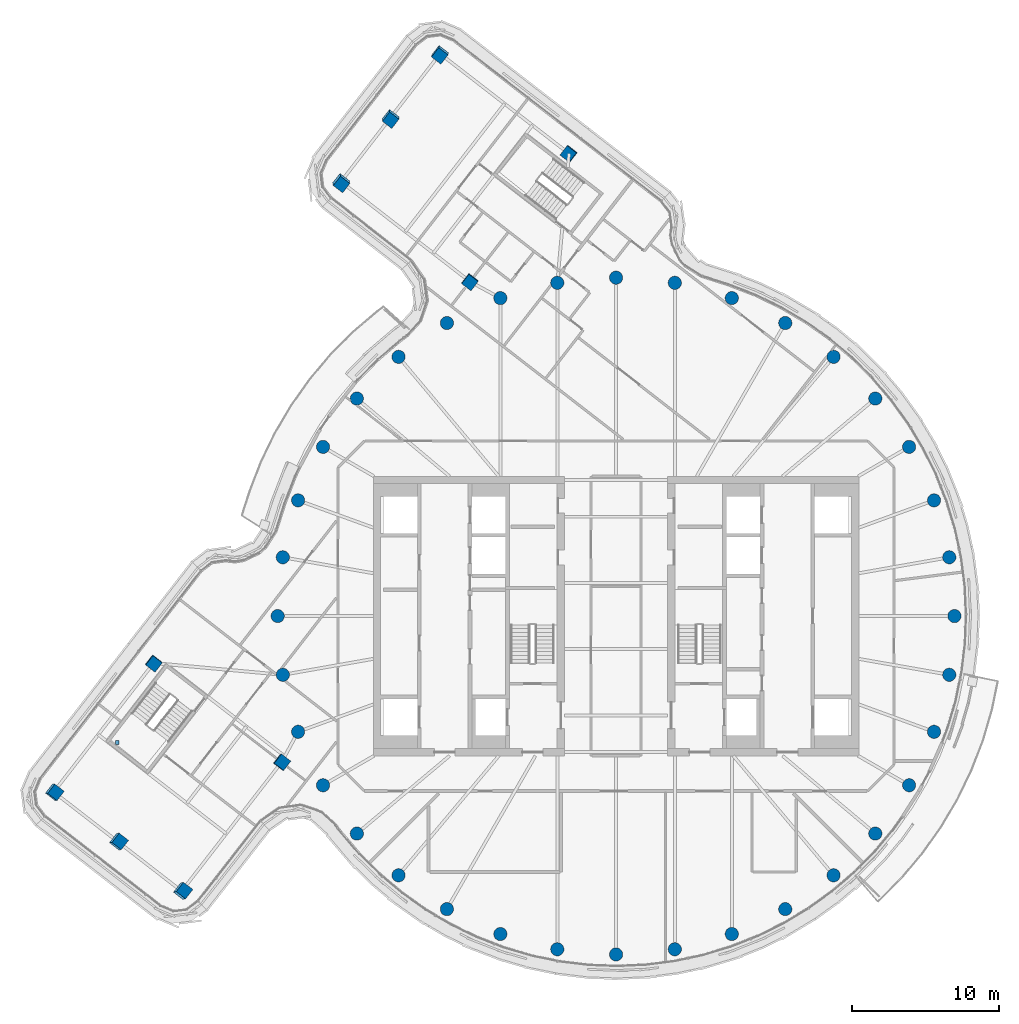
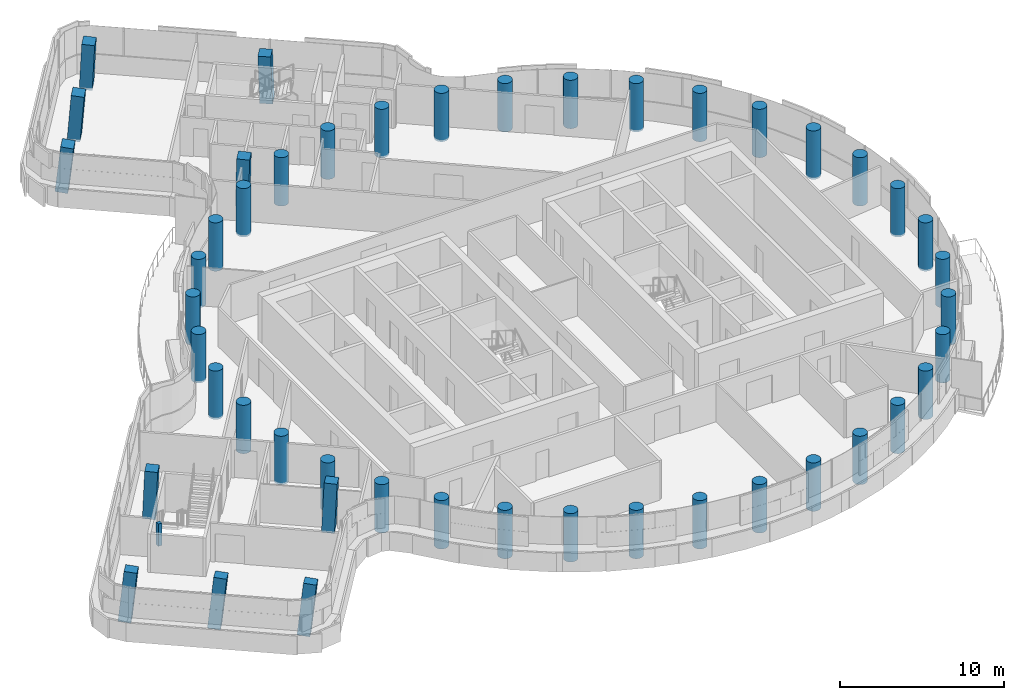
# One storey, part 1 of 26: 47 columns.
"""IFC4 building model written with IfcOpenShell, lengths in metres."""

from ifc_helpers import new_model, si_unit, direction, frame, origin, origin_2d, place, context, subcontext, project, spatial, rectangle, circle, extrude, material, material_profile, profile_set, type_object, element, save


model = new_model("IFC4")

# Units and contexts
model_context = context("Model", 3, precision=1e-05, world=origin(), true_north=direction((0.0, 1.0)))
body_context = subcontext(model_context, "Body", "Model", "MODEL_VIEW")
ifc_project = project(units=[si_unit("LENGTHUNIT", "METRE"), si_unit("AREAUNIT", "SQUARE_METRE"), si_unit("VOLUMEUNIT", "CUBIC_METRE"), si_unit("PLANEANGLEUNIT", "RADIAN"), si_unit("MASSUNIT", "GRAM", prefix="KILO")], contexts=[model_context])

# Site, building, storey
site_placement = place(None, origin())
site = spatial("IfcSite", under=ifc_project, at=site_placement, CompositionType="ELEMENT")
building_placement = place(site_placement, origin())
building = spatial("IfcBuilding", under=site, at=building_placement, Name="Tamarind Cross Interchange Tower", CompositionType="ELEMENT")
storey_placement = place(building_placement, frame((0.0, 0.0, 223.5)))
storey = spatial("IfcBuildingStorey", under=building, at=storey_placement, Name="L56", CompositionType="ELEMENT", Elevation=223.5)

# Columns
ifc_material_1 = material(Name="Concrete C40", Category="concrete")
ifc_material_profile_1 = material_profile(ifc_material_1, rectangle(XDim=0.25, YDim=0.25, at=origin_2d()), Name="RC 250x250")
ifc_profile_set_1 = profile_set([ifc_material_profile_1], Name="Concrete C40")
column_type_1 = type_object("IfcColumnType", Name="Column RC 250x250 Concrete C40", PredefinedType="COLUMN", material=ifc_profile_set_1)
column_1_placement = place(storey_placement, frame((-33.896728515625, -8.592041015625, 1.800048828125), z_axis=(0.0, 0.0, 1.0), x_axis=(1.0, 0.0, 0.0)))
element("IfcColumn", 1, at=column_1_placement, inside=storey, type_object=column_type_1, Name="Column ST5 landing L57", PredefinedType="COLUMN", context=body_context, shape_type="SweptSolid", body=[
    extrude(rectangle(XDim=0.25, YDim=0.25, at=origin_2d()), origin(), (0.0, 0.0, 1.0), 1.659912109375),
])
ifc_material_2 = material(Name="Concrete C50", Category="concrete")
ifc_material_profile_2 = material_profile(ifc_material_2, rectangle(XDim=0.800048828125, YDim=0.800048828125, at=origin_2d()), Name="RC 800x800")
ifc_profile_set_2 = profile_set([ifc_material_profile_2], Name="Concrete C50")
column_type_2 = type_object("IfcColumnType", Name="Column RC 800x800 Concrete C50", PredefinedType="COLUMN", material=ifc_profile_set_2)
for number, where, z_axis, x_axis, name in (
    (2, (-9.9296875, 22.734375, -0.138671875), (-0.003253410494, -0.050292303889, 0.998729242332), (0.612206971223, 0.789594273186, 0.041755336635), "Column L56-045"),
    (3, (-3.19384765625, 31.4306640625, -0.138671875), (-0.04758113274, -0.016605950885, 0.998729331802), (0.790006137315, -0.612483970611, 0.027453392304), "Column L56-046"),
):
    element("IfcColumn", number, at=place(storey_placement, frame(where, z_axis=z_axis, x_axis=x_axis)), inside=storey, type_object=column_type_2, Name=name, PredefinedType="COLUMN", context=body_context, shape_type="SweptSolid", body=[
        extrude(rectangle(XDim=0.800048828125, YDim=0.800048828125, at=origin_2d()), origin(), (0.0, 0.0, 1.0), 3.60205078125),
    ])
column_2_placement = place(storey_placement, frame((-11.961669921875, 38.2216796875, -0.13818359375), z_axis=(-0.01511273636, -0.110174546765, 0.993797350794), x_axis=(0.611561929785, 0.785306683932, 0.09636087489)))
element("IfcColumn", 4, at=column_2_placement, inside=storey, type_object=column_type_2, Name="Column L56-047", PredefinedType="COLUMN", context=body_context, shape_type="SweptSolid", body=[
    extrude(rectangle(XDim=0.800048828125, YDim=0.800048828125, at=origin_2d()), origin(), (0.0, 0.0, 1.0), 3.61865234375),
])
column_3_placement = place(storey_placement, frame((-15.32958984375, 33.87353515625, -0.137939453125), z_axis=(0.00693650332, -0.126675366464, 0.991919974823), x_axis=(0.612511383983, 0.784620582282, 0.095918435924)))
element("IfcColumn", 5, at=column_3_placement, inside=storey, type_object=column_type_2, Name="Column L56-048", PredefinedType="COLUMN", context=body_context, shape_type="SweptSolid", body=[
    extrude(rectangle(XDim=0.800048828125, YDim=0.800048828125, at=origin_2d()), origin(), (0.0, 0.0, 1.0), 3.625244140625),
])
column_4_placement = place(storey_placement, frame((-18.697509765625, 29.525146484375, -0.137939453125), z_axis=(0.028814660516, -0.142998629925, 0.989303344369), x_axis=(0.613802886994, 0.783674160284, 0.095398251662)))
element("IfcColumn", 6, at=column_4_placement, inside=storey, type_object=column_type_2, Name="Column L56-049", PredefinedType="COLUMN", context=body_context, shape_type="SweptSolid", body=[
    extrude(rectangle(XDim=0.800048828125, YDim=0.800048828125, at=origin_2d()), origin(), (0.0, 0.0, 1.0), 3.634765625),
])
for number, where, z_axis, x_axis, name in (
    (7, (-22.734375, -9.9296875, -0.138671875), (0.050292303889, -0.003253410494, 0.998729242332), (-0.789594273186, 0.612206971223, 0.041755336635), "Column L56-052"),
    (8, (-31.4306640625, -3.19384765625, -0.138671875), (0.016605950885, -0.04758113274, 0.998729331802), (0.612483970611, 0.790006137315, 0.027453392304), "Column L56-053"),
):
    element("IfcColumn", number, at=place(storey_placement, frame(where, z_axis=z_axis, x_axis=x_axis)), inside=storey, type_object=column_type_2, Name=name, PredefinedType="COLUMN", context=body_context, shape_type="SweptSolid", body=[
        extrude(rectangle(XDim=0.800048828125, YDim=0.800048828125, at=origin_2d()), origin(), (0.0, 0.0, 1.0), 3.60205078125),
    ])
column_5_placement = place(storey_placement, frame((-38.2216796875, -11.961669921875, -0.13818359375), z_axis=(0.110174546765, -0.01511273636, 0.993797350794), x_axis=(-0.785306683932, 0.611561929785, 0.09636087489)))
element("IfcColumn", 9, at=column_5_placement, inside=storey, type_object=column_type_2, Name="Column L56-054", PredefinedType="COLUMN", context=body_context, shape_type="SweptSolid", body=[
    extrude(rectangle(XDim=0.800048828125, YDim=0.800048828125, at=origin_2d()), origin(), (0.0, 0.0, 1.0), 3.61865234375),
])
column_6_placement = place(storey_placement, frame((-33.87353515625, -15.32958984375, -0.137939453125), z_axis=(0.126675366464, 0.00693650332, 0.991919974823), x_axis=(-0.784620582282, 0.612511383983, 0.095918435924)))
element("IfcColumn", 10, at=column_6_placement, inside=storey, type_object=column_type_2, Name="Column L56-055", PredefinedType="COLUMN", context=body_context, shape_type="SweptSolid", body=[
    extrude(rectangle(XDim=0.800048828125, YDim=0.800048828125, at=origin_2d()), origin(), (0.0, 0.0, 1.0), 3.625244140625),
])
column_7_placement = place(storey_placement, frame((-29.525146484375, -18.697509765625, -0.137939453125), z_axis=(0.142998629925, 0.028814660516, 0.989303344369), x_axis=(-0.783674160284, 0.613802886994, 0.095398251662)))
element("IfcColumn", 11, at=column_7_placement, inside=storey, type_object=column_type_2, Name="Column L56-056", PredefinedType="COLUMN", context=body_context, shape_type="SweptSolid", body=[
    extrude(rectangle(XDim=0.800048828125, YDim=0.800048828125, at=origin_2d()), origin(), (0.0, 0.0, 1.0), 3.634765625),
])
ifc_material_profile_3 = material_profile(ifc_material_2, circle(Radius=0.449951171875, at=origin_2d()), Name="RC D900")
ifc_profile_set_3 = profile_set([ifc_material_profile_3], Name="Concrete C50")
column_type_3 = type_object("IfcColumnType", Name="Column RC D900 Concrete C50", PredefinedType="COLUMN", material=ifc_profile_set_3)
for number, where, z_axis, x_axis, name in (
    (12, (23.0, 0.0, -0.139892578125), (0.0, 0.0, 1.0), (1.0, 0.0, 0.0), "Column L56-000"),
    (13, (22.650634765625, 3.993896484375, -0.139892578125), (0.0, 0.0, 1.0), (1.0, 0.0, 0.0), "Column L56-001"),
    (14, (21.613037109375, 7.866455078125, -0.139892578125), (0.0, 0.0, 1.0), (1.0, 0.0, 0.0), "Column L56-002"),
    (15, (19.918701171875, 11.5, -0.139892578125), (0.0, 0.0, 1.0), (1.0, 0.0, 0.0), "Column L56-003"),
    (16, (17.619140625, 14.7841796875, -0.139892578125), (0.0, 0.0, 1.0), (1.0, 0.0, 0.0), "Column L56-004"),
    (17, (14.7841796875, 17.619140625, -0.139892578125), (0.0, 0.0, 1.0), (1.0, 0.0, 0.0), "Column L56-005"),
    (18, (11.5, 19.918701171875, -0.139892578125), (0.0, 0.0, 1.0), (1.0, 0.0, 0.0), "Column L56-006"),
    (19, (7.866455078125, 21.613037109375, -0.139892578125), (0.0, 0.0, 1.0), (1.0, 0.0, 0.0), "Column L56-007"),
    (20, (3.993896484375, 22.650634765625, -0.139892578125), (0.0, 0.0, 1.0), (1.0, 0.0, 0.0), "Column L56-008"),
    (21, (0.0, 23.0, -0.139892578125), (0.0, 0.0, 1.0), (1.0, 0.0, 0.0), "Column L56-009"),
    (22, (-3.993896484375, 22.650634765625, -0.139892578125), (0.0, 0.0, 1.0), (1.0, 0.0, 0.0), "Column L56-010"),
    (23, (-7.866455078125, 21.613037109375, -0.139892578125), (0.0, 0.0, 1.0), (1.0, 0.0, 0.0), "Column L56-011"),
    (24, (-11.5, 19.918701171875, -0.139892578125), (0.0, 0.0, 1.0), (1.0, 0.0, 0.0), "Column L56-012"),
    (25, (-14.7841796875, 17.619140625, -0.139892578125), (0.0, 0.0, 1.0), (1.0, 0.0, 0.0), "Column L56-013"),
    (26, (-17.619140625, 14.7841796875, -0.139892578125), (0.0, 0.0, 1.0), (1.0, 0.0, 0.0), "Column L56-014"),
    (27, (-19.918701171875, 11.5, -0.139892578125), (0.0, 0.0, 1.0), (1.0, 0.0, 0.0), "Column L56-015"),
    (28, (-21.613037109375, 7.866455078125, -0.139892578125), (0.0, 0.0, 1.0), (1.0, 0.0, 0.0), "Column L56-016"),
    (29, (-22.650634765625, 3.993896484375, -0.139892578125), (0.0, 0.0, 1.0), (1.0, 0.0, 0.0), "Column L56-017"),
    (30, (-23.0, 0.0, -0.139892578125), (0.0, 0.0, 1.0), (1.0, 0.0, 0.0), "Column L56-018"),
    (31, (-22.650634765625, -3.993896484375, -0.139892578125), (0.0, 0.0, 1.0), (1.0, 0.0, 0.0), "Column L56-019"),
    (32, (-21.613037109375, -7.866455078125, -0.139892578125), (0.0, 0.0, 1.0), (1.0, 0.0, 0.0), "Column L56-020"),
    (33, (-19.918701171875, -11.5, -0.139892578125), (0.0, 0.0, 1.0), (1.0, 0.0, 0.0), "Column L56-021"),
    (34, (-17.619140625, -14.7841796875, -0.139892578125), (0.0, 0.0, 1.0), (1.0, 0.0, 0.0), "Column L56-022"),
    (35, (-14.7841796875, -17.619140625, -0.139892578125), (0.0, 0.0, 1.0), (1.0, 0.0, 0.0), "Column L56-023"),
    (36, (-11.5, -19.918701171875, -0.139892578125), (0.0, 0.0, 1.0), (1.0, 0.0, 0.0), "Column L56-024"),
    (37, (-7.866455078125, -21.613037109375, -0.139892578125), (0.0, 0.0, 1.0), (1.0, 0.0, 0.0), "Column L56-025"),
    (38, (-3.993896484375, -22.650634765625, -0.139892578125), (0.0, 0.0, 1.0), (1.0, 0.0, 0.0), "Column L56-026"),
    (39, (0.0, -23.0, -0.139892578125), (0.0, 0.0, 1.0), (1.0, 0.0, 0.0), "Column L56-027"),
    (40, (3.993896484375, -22.650634765625, -0.139892578125), (0.0, 0.0, 1.0), (1.0, 0.0, 0.0), "Column L56-028"),
    (41, (7.866455078125, -21.613037109375, -0.139892578125), (0.0, 0.0, 1.0), (1.0, 0.0, 0.0), "Column L56-029"),
    (42, (11.5, -19.918701171875, -0.139892578125), (0.0, 0.0, 1.0), (1.0, 0.0, 0.0), "Column L56-030"),
    (43, (14.7841796875, -17.619140625, -0.139892578125), (0.0, 0.0, 1.0), (1.0, 0.0, 0.0), "Column L56-031"),
    (44, (17.619140625, -14.7841796875, -0.139892578125), (0.0, 0.0, 1.0), (1.0, 0.0, 0.0), "Column L56-032"),
    (45, (19.918701171875, -11.5, -0.139892578125), (0.0, 0.0, 1.0), (1.0, 0.0, 0.0), "Column L56-033"),
    (46, (21.613037109375, -7.866455078125, -0.139892578125), (0.0, 0.0, 1.0), (1.0, 0.0, 0.0), "Column L56-034"),
    (47, (22.650634765625, -3.993896484375, -0.139892578125), (0.0, 0.0, 1.0), (1.0, 0.0, 0.0), "Column L56-035"),
):
    element("IfcColumn", number, at=place(storey_placement, frame(where, z_axis=z_axis, x_axis=x_axis)), inside=storey, type_object=column_type_3, Name=name, PredefinedType="COLUMN", context=body_context, shape_type="SweptSolid", body=[
        extrude(circle(Radius=0.449951171875, at=origin_2d()), origin(), (0.0, 0.0, 1.0), 3.599853515625),
    ])

save(model, "model.ifc")
